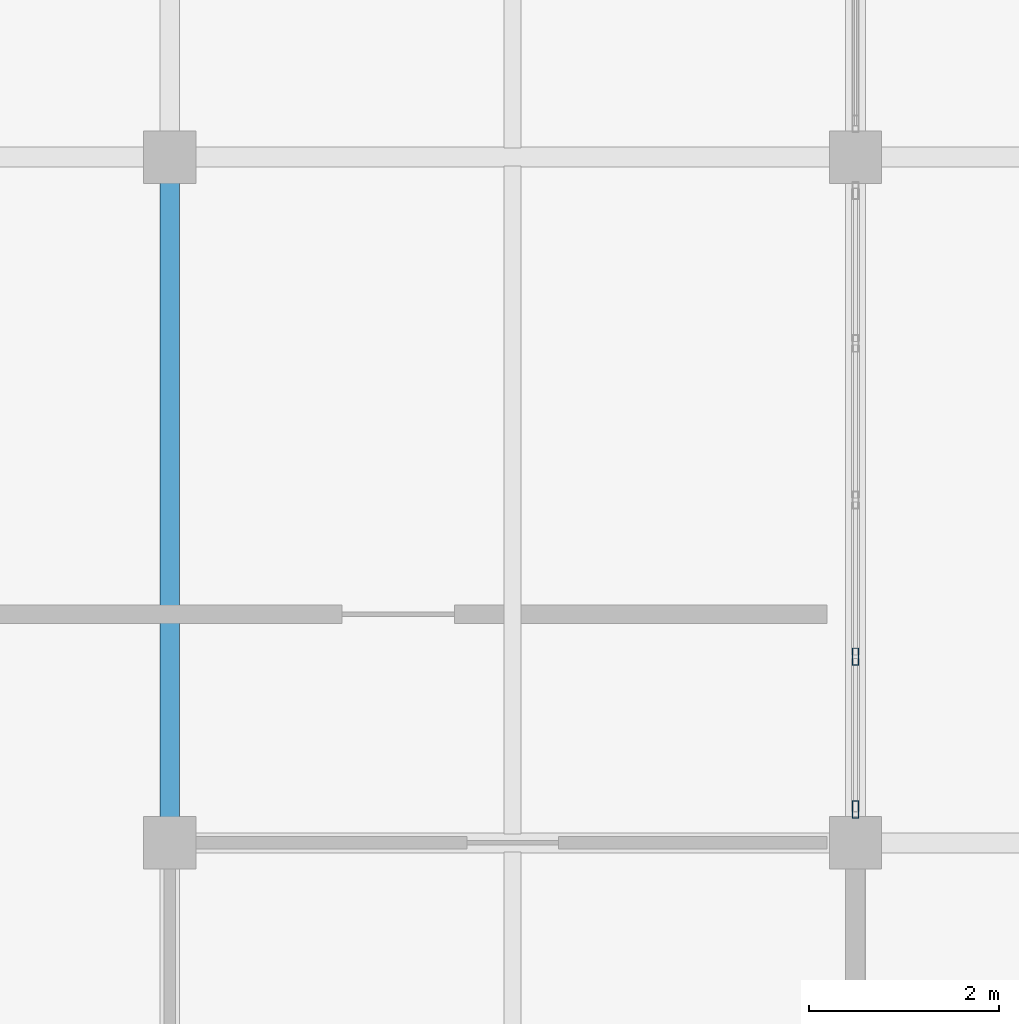
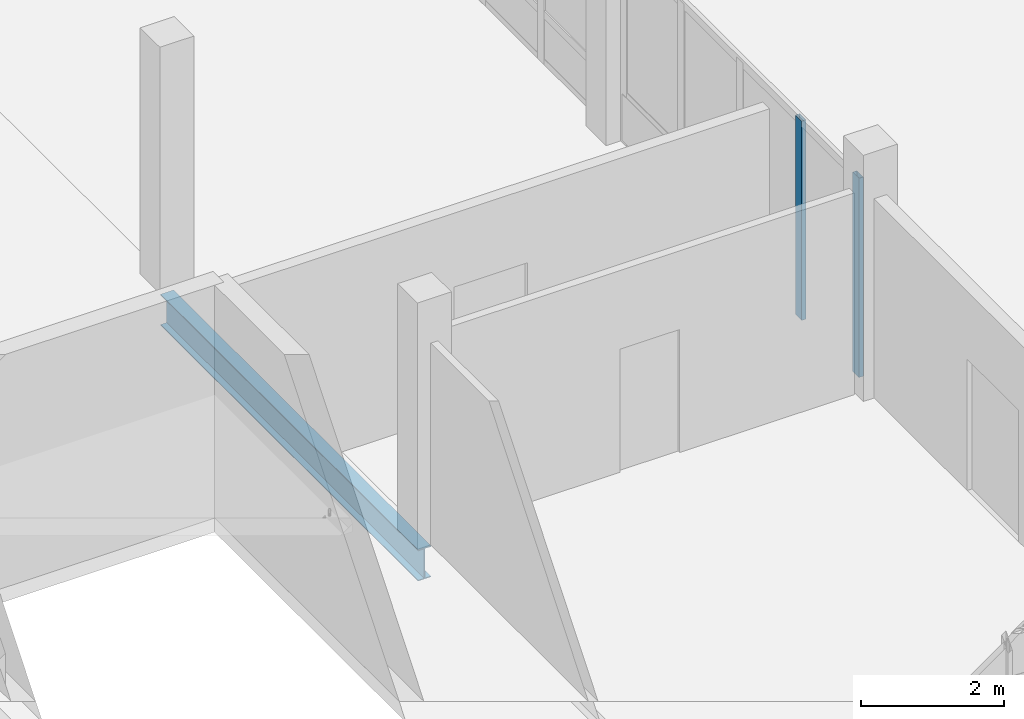
# One storey, part 24 of 47: 2 members, 1 beam, 1 element without a shape of its own.
"""IFC4 building model written with IfcOpenShell, lengths in metres."""

import ifcopenshell
import ifcopenshell.guid

model = None  # the IFC model being written
_history = None  # IfcOwnerHistory: only IFC2X3 demands one
_inside = {}  # id of a spatial element -> (the spatial element, [elements in it])
_under = {}  # id of a project, library or spatial element -> (it, [spatial elements below it])
_declared = {}  # id of a project -> (the project, [libraries it declares])
_typed = {}  # id of a type object -> (the type object, [elements of that type])
_made_of = {}  # id of a material, layer set ... -> (it, [elements and type objects made of it])


def new_model(schema):
    """Start an empty IFC model of exactly this schema.

    Asked for "IFC4X3", IfcOpenShell would pick the latest addendum, in which some entities
    have other attributes; the version numbers below select the first issue.
    IFC2X3 requires an IfcOwnerHistory on every rooted entity: one is made here for all.
    """
    global model, _history
    if schema == "IFC4X3":
        model = ifcopenshell.file(schema_version=(4, 3, 0, 0))
    else:
        model = ifcopenshell.file(schema=schema)
    _inside.clear()
    _under.clear()
    _declared.clear()
    _typed.clear()
    _made_of.clear()
    _history = None
    if model.schema == "IFC2X3":
        org = make("IfcOrganization", Name="unknown")
        user = make(
            "IfcPersonAndOrganization",
            ThePerson=make("IfcPerson", FamilyName="unknown"),
            TheOrganization=org,
        )
        app = make(
            "IfcApplication",
            ApplicationDeveloper=org,
            Version="unknown",
            ApplicationFullName="unknown",
            ApplicationIdentifier="unknown",
        )
        _history = make(
            "IfcOwnerHistory",
            OwningUser=user,
            OwningApplication=app,
            ChangeAction="ADDED",
            CreationDate=0,
        )
    return model


def make(cls, **values):
    """One entity of the class cls with the attributes given. An attribute that is None is left unset."""
    return model.create_entity(
        cls, **{name: value for name, value in values.items() if value is not None}
    )


def rooted(cls, **values):
    """An entity with a GlobalId (a new one), such as an element, a storey or a relation."""
    return make(cls, GlobalId=ifcopenshell.guid.new(), OwnerHistory=_history, **values)


def si_unit(unit_type, name, prefix=None):
    """IfcSIUnit, for example si_unit("LENGTHUNIT", "METRE", prefix="MILLI")."""
    return make("IfcSIUnit", UnitType=unit_type, Prefix=prefix, Name=name)


def assignment(units):
    """IfcUnitAssignment: the units of a project."""
    return None if units is None else make("IfcUnitAssignment", Units=units)


def point(xyz):
    """IfcCartesianPoint."""
    return None if xyz is None else make("IfcCartesianPoint", Coordinates=xyz)


def direction(xyz):
    """IfcDirection."""
    return None if xyz is None else make("IfcDirection", DirectionRatios=xyz)


def frame(location, z_axis=None, x_axis=None):
    """IfcAxis2Placement3D, a coordinate frame: its origin and axes. An axis left out is left unset."""
    return make(
        "IfcAxis2Placement3D",
        Location=point(location),
        Axis=direction(z_axis),
        RefDirection=direction(x_axis),
    )


def frame_2d(location, x_axis=None):
    """IfcAxis2Placement2D, a coordinate frame in the plane: its origin and x axis."""
    return make(
        "IfcAxis2Placement2D", Location=point(location), RefDirection=direction(x_axis)
    )


def origin():
    """The frame at (0, 0, 0) with its axes left unset."""
    return frame((0.0, 0.0, 0.0))


def origin_2d():
    """The frame at (0, 0) in the plane with its x axis left unset."""
    return frame_2d((0.0, 0.0))


def place(relative_to, where):
    """IfcLocalPlacement: puts the frame where relative to a parent placement (None: the world)."""
    return make(
        "IfcLocalPlacement", PlacementRelTo=relative_to, RelativePlacement=where
    )


def context(
    kind, dimensions, precision=None, world=None, true_north=None, identifier=None
):
    """IfcGeometricRepresentationContext, for example the 3D "Model" context."""
    return make(
        "IfcGeometricRepresentationContext",
        ContextIdentifier=identifier,
        ContextType=kind,
        CoordinateSpaceDimension=dimensions,
        Precision=precision,
        WorldCoordinateSystem=world,
        TrueNorth=true_north,
    )


def subcontext(parent, identifier, kind, view, scale=None):
    """IfcGeometricRepresentationSubContext, for example "Body" below "Model"."""
    return make(
        "IfcGeometricRepresentationSubContext",
        ContextIdentifier=identifier,
        ContextType=kind,
        ParentContext=parent,
        TargetScale=scale,
        TargetView=view,
    )


def project(units=None, contexts=None):
    """IfcProject with its units and contexts."""
    return rooted(
        "IfcProject",
        Name="project",
        RepresentationContexts=contexts,
        UnitsInContext=assignment(units),
    )


def spatial(cls, under=None, at=None, **own):
    """A site, building, storey or space (cls), placed at a placement, below another one or the project."""
    s = rooted(cls, ObjectPlacement=at, **own)
    if under is not None:
        _under.setdefault(under.id(), (under, []))[1].append(s)
    return s


def profile(cls, at=None, kind="AREA", **sizes):
    """A parametric profile (cls). Its sizes go by their IFC names, for example OverallWidth=200.0."""
    return make(cls, ProfileType=kind, Position=at, **sizes)


def hollow_rectangle(**sizes):
    """IfcRectangleHollowProfileDef."""
    return profile("IfcRectangleHollowProfileDef", **sizes)


def i_section(**sizes):
    """IfcIShapeProfileDef."""
    return profile("IfcIShapeProfileDef", **sizes)


def extrude(swept, where, along, depth):
    """IfcExtrudedAreaSolid: the profile swept, set in the frame where, extruded along a direction by depth."""
    return make(
        "IfcExtrudedAreaSolid",
        SweptArea=swept,
        Position=where,
        ExtrudedDirection=direction(along),
        Depth=depth,
    )


def shape(context_of_items, identifier, shape_type, items):
    """IfcShapeRepresentation: the items that make up one representation, for example the "Body"."""
    return make(
        "IfcShapeRepresentation",
        ContextOfItems=context_of_items,
        RepresentationIdentifier=identifier,
        RepresentationType=shape_type,
        Items=items,
    )


def material(Name=None, Category=None):
    """IfcMaterial."""
    return make("IfcMaterial", Name=Name, Category=Category)


def material_profile(
    of_material, cross_section, Name=None, Category=None, Priority=None
):
    """IfcMaterialProfile: a cross section and its material."""
    return make(
        "IfcMaterialProfile",
        Name=Name,
        Material=of_material,
        Profile=cross_section,
        Priority=Priority,
        Category=Category,
    )


def profile_set(profiles, Name=None, composite=None):
    """IfcMaterialProfileSet."""
    return make(
        "IfcMaterialProfileSet",
        Name=Name,
        MaterialProfiles=profiles,
        CompositeProfile=composite,
    )


def made_of(thing, what):
    """Note that an element or type object is made of a material, layer set ...; save() writes the relation."""
    if what is not None:
        _made_of.setdefault(what.id(), (what, []))[1].append(thing)
    return thing


def type_object(cls, material=None, **own):
    """A type object (cls), such as IfcWallType, which elements share."""
    return made_of(rooted(cls, **own), material)


def element(
    cls,
    number,
    at=None,
    inside=None,
    cuts=None,
    type_object=None,
    material=None,
    context=None,
    identifier="Body",
    shape_type=None,
    held_by="IfcProductDefinitionShape",
    body=None,
    shapes=None,
    **own,
):
    """One element of the class cls, such as IfcWall. Its Tag is "e" and its number.

    at: its placement. inside: the storey or other place that contains it. cuts: it is an
    opening in that element (IfcRelVoidsElement). A single representation is given by context,
    identifier, shape_type and body (its items); several are given by shapes. held_by: the class
    of the entity that holds the representations. save() writes the other relations.
    """
    e = rooted(cls, Tag="e%d" % number, ObjectPlacement=at, **own)
    if body is not None:
        shapes = [shape(context, identifier, shape_type, body)]
    if shapes is not None:
        e.Representation = make(held_by, Representations=shapes)
    if inside is not None:
        _inside.setdefault(inside.id(), (inside, []))[1].append(e)
    if cuts is not None:
        rooted(
            "IfcRelVoidsElement", RelatingBuildingElement=cuts, RelatedOpeningElement=e
        )
    if type_object is not None:
        _typed.setdefault(type_object.id(), (type_object, []))[1].append(e)
    return made_of(e, material)


def aggregate(whole, parts):
    """IfcRelAggregates: a whole, such as a stair, and the parts it consists of."""
    return rooted("IfcRelAggregates", RelatingObject=whole, RelatedObjects=parts)


def save(model, path):
    """Write the relations noted so far, then the file.

    IfcRelAggregates (storeys below a building ...), IfcRelContainedInSpatialStructure (elements
    in a storey), IfcRelDefinesByType, IfcRelAssociatesMaterial and IfcRelDeclares: one each for
    every whole, place, type object, material and project.
    """
    for whole, parts in _under.values():
        aggregate(whole, parts)
    for where, things in _inside.values():
        rooted(
            "IfcRelContainedInSpatialStructure",
            RelatedElements=things,
            RelatingStructure=where,
        )
    for kind, things in _typed.values():
        rooted("IfcRelDefinesByType", RelatedObjects=things, RelatingType=kind)
    for what, things in _made_of.values():
        rooted("IfcRelAssociatesMaterial", RelatedObjects=things, RelatingMaterial=what)
    for by, libraries in _declared.values():
        rooted("IfcRelDeclares", RelatingContext=by, RelatedDefinitions=libraries)
    model.write(path)


model = new_model("IFC4")

# Units and contexts
model_context = context("Model", 3, precision=1e-05, world=origin(), true_north=direction((0.0, 1.0)))
body_context = subcontext(model_context, "Body", "Model", "MODEL_VIEW")
ifc_project = project(units=[si_unit("LENGTHUNIT", "METRE"), si_unit("AREAUNIT", "SQUARE_METRE"), si_unit("VOLUMEUNIT", "CUBIC_METRE"), si_unit("PLANEANGLEUNIT", "RADIAN"), si_unit("MASSUNIT", "GRAM", prefix="KILO")], contexts=[model_context])

# Site, building, storey
site_placement = place(None, origin())
site = spatial("IfcSite", under=ifc_project, at=site_placement, CompositionType="ELEMENT")
building_placement = place(site_placement, origin())
building = spatial("IfcBuilding", under=site, at=building_placement, Name="Yarey Park Central Fire Station", CompositionType="ELEMENT")
storey_placement = place(building_placement, frame((0.0, 0.0, 18.0)))
storey = spatial("IfcBuildingStorey", under=building, at=storey_placement, Name="L05", CompositionType="ELEMENT", Elevation=18.0)

# Curtain wall, members
ifc_material_1 = material(Name="Anodized Aluminium Frame", Category="aluminium")
curtain_wall_type = type_object("IfcCurtainWallType", Name="ENV_CW_HQ_L05", PredefinedType="NOTDEFINED", material=ifc_material_1)
curtain_wall_placement = place(storey_placement, origin())
curtain_wall = element("IfcCurtainWall", 1, at=curtain_wall_placement, inside=storey, type_object=curtain_wall_type, Name="CW_L05_V4_E_100", PredefinedType="NOTDEFINED")
ifc_material_profile_1 = material_profile(ifc_material_1, hollow_rectangle(XDim=0.070068359375, YDim=0.179931640625, WallThickness=0.00390625, at=origin_2d()), Name="ALU 180x70x4")
ifc_profile_set_1 = profile_set([ifc_material_profile_1], Name="Anodized Aluminium Frame")
member_type = type_object("IfcMemberType", Name="ENV_CW_MULLION", PredefinedType="MULLION", material=ifc_profile_set_1)
member_1_placement = place(storey_placement, frame((151.199951171875, 101.14990234375, 0.0), z_axis=(0.0, 0.0, 1.0), x_axis=(1.0, 0.0, 0.0)))
member_1 = element("IfcMember", 2, at=member_1_placement, type_object=member_type, Name="CW_L05_V4_E_100_MUL1", PredefinedType="MULLION", context=body_context, shape_type="SweptSolid", body=[
    extrude(hollow_rectangle(XDim=0.070068359375, YDim=0.179931640625, WallThickness=0.00390625, at=origin_2d()), origin(), (0.0, 0.0, 1.0), 3.39990234375),
])
member_2_placement = place(storey_placement, frame((151.199951171875, 102.7548828125, 0.0), z_axis=(0.0, 0.0, 1.0), x_axis=(1.0, 0.0, 0.0)))
member_2 = element("IfcMember", 3, at=member_2_placement, type_object=member_type, Name="CW_L05_V4_E_100_MUL2", PredefinedType="MULLION", context=body_context, shape_type="SweptSolid", body=[
    extrude(hollow_rectangle(XDim=0.070068359375, YDim=0.179931640625, WallThickness=0.00390625, at=origin_2d()), origin(), (0.0, 0.0, 1.0), 3.39990234375),
])
aggregate(curtain_wall, [member_1, member_2])

# Beam
ifc_material_2 = material(Name="Steel ASTM A992 Gr. 50", Category="steel")
ifc_material_profile_2 = material_profile(ifc_material_2, i_section(OverallWidth=0.208984375, OverallDepth=0.532958984375, WebThickness=0.01025390625, FlangeThickness=0.015625, at=origin_2d()), Name="W530x92")
ifc_profile_set_2 = profile_set([ifc_material_profile_2], Name="Steel ASTM A992 Gr. 50")
beam_type = type_object("IfcBeamType", Name="STR_BM_W530", PredefinedType="BEAM", material=ifc_profile_set_2)
beam_placement = place(storey_placement, frame((144.0, 100.800048828125, -0.506591796875), z_axis=(0.0, 1.0, 0.0), x_axis=(-1.0, 0.0, 0.0)))
element("IfcBeam", 4, at=beam_placement, inside=storey, type_object=beam_type, Name="BMY L05 X1440 Y1008", PredefinedType="BEAM", context=body_context, shape_type="SweptSolid", body=[
    extrude(i_section(OverallWidth=0.208984375, OverallDepth=0.532958984375, WebThickness=0.01025390625, FlangeThickness=0.015625, at=origin_2d()), origin(), (0.0, 0.0, 1.0), 7.199951171875),
])

save(model, "model.ifc")
